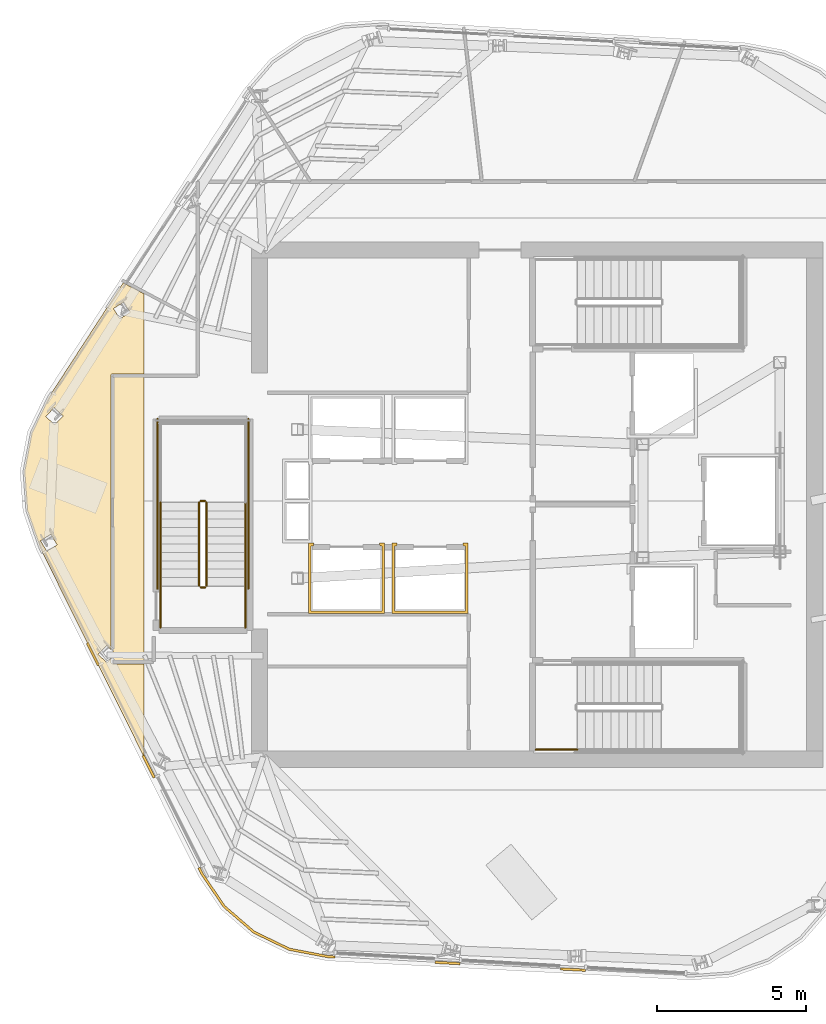
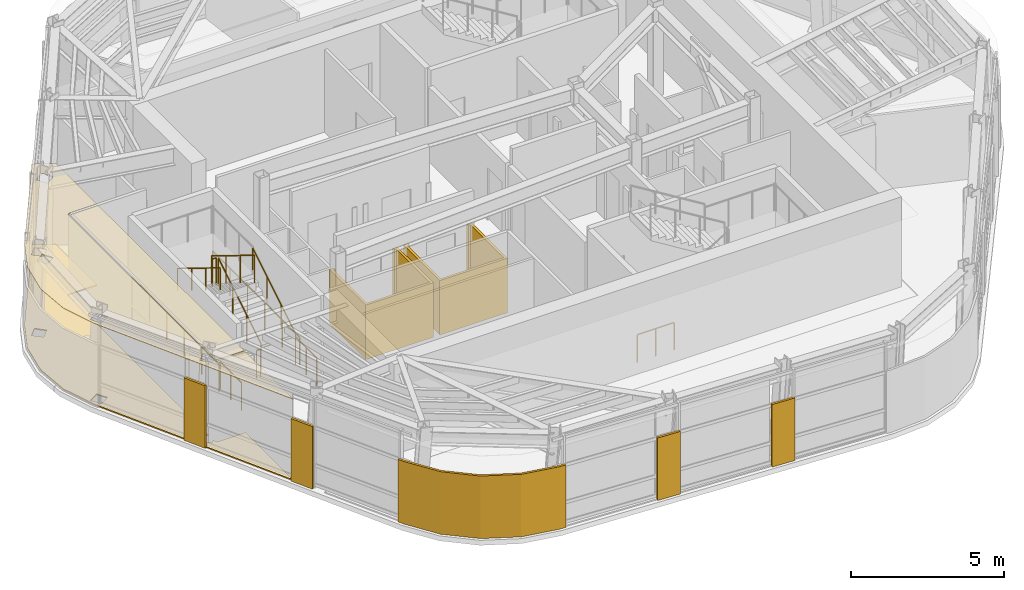
# One storey, part 9 of 13: 11 railings, 10 coverings.
"""IFC4 building model written with IfcOpenShell, lengths in metres."""

from ifc_helpers import new_model, si_unit, direction, frame, origin, origin_2d, place, context, subcontext, project, spatial, polyline, circle, outline, extrude, material, layer, layer_set, type_object, element, save


model = new_model("IFC4")

# Units and contexts
model_context = context("Model", 3, precision=1e-05, world=origin(), true_north=direction((0.0, 1.0)))
body_context = subcontext(model_context, "Body", "Model", "MODEL_VIEW")
ifc_project = project(units=[si_unit("LENGTHUNIT", "METRE"), si_unit("AREAUNIT", "SQUARE_METRE"), si_unit("VOLUMEUNIT", "CUBIC_METRE"), si_unit("PLANEANGLEUNIT", "RADIAN"), si_unit("MASSUNIT", "GRAM", prefix="KILO")], contexts=[model_context])

# Site, building, storey
site_placement = place(None, origin())
site = spatial("IfcSite", under=ifc_project, at=site_placement, CompositionType="ELEMENT")
building_placement = place(site_placement, origin())
building = spatial("IfcBuilding", under=site, at=building_placement, Name="Valkerne Bourse Tower", CompositionType="ELEMENT")
storey_placement = place(building_placement, frame((0.0, 0.0, 269.800048828125)))
storey = spatial("IfcBuildingStorey", under=building, at=storey_placement, Name="L68", CompositionType="ELEMENT", Elevation=269.800048828125)

# Coverings
ifc_material_1 = material(Name="Mineral Fiber Acoustic Ceiling Tile", Category="acoustic")
ifc_layer_1 = layer(ifc_material_1, 0.02490234375)
ifc_layer_set_1 = layer_set([ifc_layer_1], Name="Mineral Fiber Acoustic Ceiling Tile")
covering_type_1 = type_object("IfcCoveringType", Name="COV-CEIL-ACT", PredefinedType="CEILING", material=ifc_layer_set_1)
covering_1_placement = place(storey_placement, frame((0.0, 0.0, 3.25)))
element("IfcCovering", 1, at=covering_1_placement, inside=storey, type_object=covering_type_1, Name="L68 Suspended Ceiling 07", PredefinedType="CEILING", context=body_context, shape_type="SweptSolid", body=[
    extrude(outline(polyline([(30.112060546875, 25.42138671875), (29.6748046875, 26.677001953125), (29.578369140625, 27.992919921875), (29.82568359375, 29.289306640625), (30.404296875, 30.486083984375), (32.898681640625, 34.32470703125), (33.60009765625, 33.95166015625), (33.60009765625, 31.26904296875), (32.54931640625, 31.26904296875), (32.50830078125, 31.25537109375), (32.483154296875, 31.217529296875), (32.48095703125, 22.007568359375), (32.338134765625, 22.1455078125), (32.05517578125, 21.853515625), (32.055908203125, 21.8515625), (32.349853515625, 21.567626953125), (32.482421875, 21.704345703125), (32.48291015625, 21.58349609375), (32.50830078125, 21.544921875), (32.546630859375, 21.531005859375), (33.60009765625, 21.531005859375), (33.60009765625, 18.400146484375), (30.112060546875, 25.42138671875)]), holes=[polyline([(30.680908203125, 25.525634765625), (30.468505859375, 25.87451171875), (30.12060546875, 25.663818359375), (30.120849609375, 25.66162109375), (30.333251953125, 25.3125), (30.680908203125, 25.523193359375), (30.680908203125, 25.525634765625)]), polyline([(30.876953125, 29.85400390625), (30.582275390625, 30.134033203125), (30.30029296875, 29.83837890625), (30.2998046875, 29.8359375), (30.594482421875, 29.555908203125), (30.87646484375, 29.8515625), (30.876953125, 29.85400390625)]), polyline([(33.134521484375, 33.331787109375), (32.92041015625, 33.677490234375), (32.572509765625, 33.462646484375), (32.571533203125, 33.460693359375), (32.78564453125, 33.114990234375), (33.133544921875, 33.329833984375), (33.134521484375, 33.331787109375)])]), origin(), (0.0, 0.0, 1.0), 0.02490234375),
])
ifc_material_2 = material(Name="Bronze Anodised Aluminium AA 6063-T6", Category="aluminium")
ifc_layer_2 = layer(ifc_material_2, 0.030029296875)
ifc_layer_set_2 = layer_set([ifc_layer_2], Name="Bronze Anodised Aluminium AA 6063-T6")
covering_type_2 = type_object("IfcCoveringType", Name="COV-CEIL-METAL", PredefinedType="CEILING", material=ifc_layer_set_2)
covering_2_placement = place(storey_placement, frame((0.0, 0.0, 3.25)))
element("IfcCovering", 2, at=covering_2_placement, inside=storey, type_object=covering_type_2, Name="L68 Suspended Ceiling 02", PredefinedType="CEILING", context=body_context, shape_type="SweptSolid", body=[
    extrude(outline(polyline([(32.553955078125, 21.60400390625), (32.553955078125, 21.7783203125), (32.6328125, 21.859619140625), (32.632080078125, 21.86181640625), (32.553955078125, 21.937255859375), (32.553955078125, 31.196044921875), (33.60009765625, 31.196044921875), (33.60009765625, 21.60400390625), (32.553955078125, 21.60400390625)])), origin(), (0.0, 0.0, 1.0), 0.02490234375),
])
ifc_layer_3 = layer(ifc_material_2, 0.06005859375)
ifc_layer_set_3 = layer_set([ifc_layer_3], Name="Bronze Anodised Aluminium AA 6063-T6")
covering_type_3 = type_object("IfcCoveringType", Name="COV-CRN-ALUM", PredefinedType="CLADDING", material=ifc_layer_set_3)
covering_3_placement = place(storey_placement, origin())
element("IfcCovering", 3, at=covering_3_placement, inside=storey, type_object=covering_type_3, Name="L68 Wind-Shaped Corner Aluminium Cladding 05", PredefinedType="CLADDING", context=body_context, shape_type="SweptSolid", body=[
    extrude(outline(polyline([(47.580322265625, 11.24560546875), (47.5849609375, 11.3251953125), (48.423828125, 11.281005859375), (48.419189453125, 11.201416015625), (47.580322265625, 11.24560546875)])), origin(), (0.0, 0.0, 1.0), 2.5),
])
covering_4_placement = place(storey_placement, origin())
element("IfcCovering", 4, at=covering_4_placement, inside=storey, type_object=covering_type_3, Name="L68 Wind-Shaped Corner Aluminium Cladding 06", PredefinedType="CLADDING", context=body_context, shape_type="SweptSolid", body=[
    extrude(outline(polyline([(43.374267578125, 11.467041015625), (43.37890625, 11.546875), (44.217529296875, 11.502685546875), (44.212890625, 11.4228515625), (43.374267578125, 11.467041015625)])), origin(), (0.0, 0.0, 1.0), 2.5),
])
covering_5_placement = place(storey_placement, origin())
element("IfcCovering", 5, at=covering_5_placement, inside=storey, type_object=covering_type_3, Name="L68 Wind-Shaped Corner Aluminium Cladding 07", PredefinedType="CLADDING", context=body_context, shape_type="SweptSolid", body=[
    extrude(outline(polyline([(39.77880859375, 11.656494140625), (38.46484375, 11.906982421875), (37.266357421875, 12.486572265625), (36.2587890625, 13.356201171875), (35.5068359375, 14.46240234375), (35.4052734375, 14.6669921875), (35.476806640625, 14.702880859375), (35.576171875, 14.5029296875), (36.319091796875, 13.409912109375), (37.310791015625, 12.553955078125), (38.490234375, 11.983642578125), (39.788330078125, 11.736083984375), (40.011474609375, 11.724365234375), (40.0068359375, 11.64453125), (39.77880859375, 11.656494140625)])), origin(), (0.0, 0.0, 1.0), 2.5),
])
covering_6_placement = place(storey_placement, origin())
element("IfcCovering", 6, at=covering_6_placement, inside=storey, type_object=covering_type_3, Name="L68 Wind-Shaped Corner Aluminium Cladding 08", PredefinedType="CLADDING", context=body_context, shape_type="SweptSolid", body=[
    extrude(outline(polyline([(33.531494140625, 18.439453125), (33.602783203125, 18.475341796875), (33.9765625, 17.722900390625), (33.905029296875, 17.68701171875), (33.531494140625, 18.439453125)])), origin(), (0.0, 0.0, 1.0), 2.5),
])
covering_7_placement = place(storey_placement, origin())
element("IfcCovering", 7, at=covering_7_placement, inside=storey, type_object=covering_type_3, Name="L68 Wind-Shaped Corner Aluminium Cladding 09", PredefinedType="CLADDING", context=body_context, shape_type="SweptSolid", body=[
    extrude(outline(polyline([(31.657470703125, 22.211669921875), (31.72900390625, 22.24755859375), (32.102783203125, 21.495361328125), (32.03125, 21.459228515625), (31.657470703125, 22.211669921875)])), origin(), (0.0, 0.0, 1.0), 2.5),
])
ifc_material_3 = material(Name="Galvanised Painted Steel", Category="steel")
ifc_layer_4 = layer(ifc_material_3, 0.044921875)
ifc_layer_set_4 = layer_set([ifc_layer_4], Name="Galvanised Painted Steel")
covering_type_4 = type_object("IfcCoveringType", Name="COV-FLR-RAF", PredefinedType="FLOORING", material=ifc_layer_set_4)
covering_8_placement = place(storey_placement, origin())
element("IfcCovering", 8, at=covering_8_placement, inside=storey, type_object=covering_type_4, Name="L68 Floor Finish 07", PredefinedType="FLOORING", context=body_context, shape_type="SweptSolid", body=[
    extrude(outline(polyline([(30.112060546875, 25.42138671875), (29.6748046875, 26.677001953125), (29.578369140625, 27.992919921875), (29.82568359375, 29.289306640625), (30.404296875, 30.486083984375), (32.898681640625, 34.32470703125), (33.60009765625, 33.95166015625), (33.60009765625, 31.26904296875), (32.54931640625, 31.26904296875), (32.50830078125, 31.25537109375), (32.483154296875, 31.217529296875), (32.48095703125, 22.007568359375), (32.338134765625, 22.1455078125), (32.05517578125, 21.853515625), (32.055908203125, 21.8515625), (32.349853515625, 21.567626953125), (32.482421875, 21.704345703125), (32.48291015625, 21.58349609375), (32.50830078125, 21.544921875), (32.546630859375, 21.531005859375), (33.60009765625, 21.531005859375), (33.60009765625, 18.400146484375), (30.112060546875, 25.42138671875)]), holes=[polyline([(30.680908203125, 25.525634765625), (30.468505859375, 25.87451171875), (30.12060546875, 25.663818359375), (30.120849609375, 25.66162109375), (30.333251953125, 25.3125), (30.680908203125, 25.523193359375), (30.680908203125, 25.525634765625)]), polyline([(30.876953125, 29.85400390625), (30.582275390625, 30.134033203125), (30.30029296875, 29.83837890625), (30.2998046875, 29.8359375), (30.594482421875, 29.555908203125), (30.87646484375, 29.8515625), (30.876953125, 29.85400390625)]), polyline([(33.134521484375, 33.331787109375), (32.92041015625, 33.677490234375), (32.572509765625, 33.462646484375), (32.571533203125, 33.460693359375), (32.78564453125, 33.114990234375), (33.133544921875, 33.329833984375), (33.134521484375, 33.331787109375)])]), origin(), (0.0, 0.0, 1.0), 0.044921875),
])
ifc_material_4 = material(Name="Gypsum Shaftwall Liner Board", Category="gypsum")
ifc_layer_5 = layer(ifc_material_4, 0.080078125)
ifc_layer_set_5 = layer_set([ifc_layer_5], Name="Gypsum Shaftwall Liner Board")
covering_type_5 = type_object("IfcCoveringType", Name="COV-SHF-CLAD", PredefinedType="CLADDING", material=ifc_layer_set_5)
covering_9_placement = place(storey_placement, origin())
element("IfcCovering", 9, at=covering_9_placement, inside=storey, type_object=covering_type_5, Name="L68 Hoistway & Riser Shaftwall Liner 02", PredefinedType="CLADDING", context=body_context, shape_type="SweptSolid", body=[
    extrude(outline(polyline([(39.29931640625, 25.580078125), (39.28857421875, 25.537841796875), (39.2822265625, 25.494140625), (39.281982421875, 25.489990234375), (39.2099609375, 25.489990234375), (39.2099609375, 23.31005859375), (41.590087890625, 23.31005859375), (41.590087890625, 25.489990234375), (41.51806640625, 25.489990234375), (41.517822265625, 25.494140625), (41.511474609375, 25.537841796875), (41.500732421875, 25.580078125), (41.679931640625, 25.580078125), (41.679931640625, 23.219970703125), (39.1201171875, 23.219970703125), (39.1201171875, 25.580078125), (39.29931640625, 25.580078125)])), origin(), (0.0, 0.0, 1.0), 2.179931640625),
])
covering_10_placement = place(storey_placement, origin())
element("IfcCovering", 10, at=covering_10_placement, inside=storey, type_object=covering_type_5, Name="L68 Hoistway & Riser Shaftwall Liner 03", PredefinedType="CLADDING", context=body_context, shape_type="SweptSolid", body=[
    extrude(outline(polyline([(42.09912109375, 25.580078125), (42.088623046875, 25.537841796875), (42.082275390625, 25.494140625), (42.08203125, 25.489990234375), (42.010009765625, 25.489990234375), (42.010009765625, 23.31005859375), (44.389892578125, 23.31005859375), (44.389892578125, 25.489990234375), (44.318115234375, 25.489990234375), (44.31787109375, 25.494140625), (44.311279296875, 25.537841796875), (44.30078125, 25.580078125), (44.47998046875, 25.580078125), (44.47998046875, 23.219970703125), (41.919921875, 23.219970703125), (41.919921875, 25.580078125), (42.09912109375, 25.580078125)])), origin(), (0.0, 0.0, 1.0), 2.179931640625),
])

# Railings
railing_type_1 = type_object("IfcRailingType", Name="RLG-ST-GUARD-1120", PredefinedType="GUARDRAIL", material=ifc_material_3)
railing_1_placement = place(storey_placement, frame((46.75, 18.64990234375, 0.0)))
element("IfcRailing", 11, at=railing_1_placement, inside=storey, type_object=railing_type_1, Name="L68 ST-1 stair guard 8", PredefinedType="GUARDRAIL", context=body_context, shape_type="SweptSolid", body=[
    extrude(circle(Radius=0.02392578125, at=origin_2d()), frame((0.0, 0.0, 1.09619140625), z_axis=(1.0, 0.0, 0.0), x_axis=(0.0, 1.0, 0.0)), (0.0, 0.0, 1.0), 1.39990234375),
    extrude(circle(Radius=0.02099609375, at=origin_2d()), origin(), (0.0, 0.0, 1.0), 1.072021484375),
    extrude(circle(Radius=0.02099609375, at=origin_2d()), frame((0.699951171875, 0.0, 0.0)), (0.0, 0.0, 1.0), 1.072021484375),
    extrude(circle(Radius=0.02099609375, at=origin_2d()), frame((1.39990234375, 0.0, 0.0)), (0.0, 0.0, 1.0), 1.072021484375),
])
railing_2_placement = place(storey_placement, frame((35.699951171875, 24.14990234375, 0.172607421875)))
element("IfcRailing", 12, at=railing_2_placement, inside=storey, type_object=railing_type_1, Name="L68 ST-3 stair guard 1", PredefinedType="GUARDRAIL", context=body_context, shape_type="SweptSolid", body=[
    extrude(circle(Radius=0.02392578125, at=origin_2d()), frame((0.0, 0.0, 1.09619140625), z_axis=(0.0, 0.851089632645, 0.525020415988), x_axis=(-1.0, 0.0, 0.0)), (0.0, 0.0, 1.0), 3.2900390625),
    extrude(circle(Radius=0.02099609375, at=origin_2d()), origin(), (0.0, 0.0, 1.0), 1.072021484375),
    extrude(circle(Radius=0.02099609375, at=origin_2d()), frame((0.0, 0.933349609375, 0.57568359375)), (0.0, 0.0, 1.0), 1.072021484375),
    extrude(circle(Radius=0.02099609375, at=origin_2d()), frame((0.0, 1.86669921875, 1.151611328125)), (0.0, 0.0, 1.0), 1.072021484375),
    extrude(circle(Radius=0.02099609375, at=origin_2d()), frame((0.0, 2.800048828125, 1.727294921875)), (0.0, 0.0, 1.0), 1.072021484375),
])
railing_3_placement = place(storey_placement, frame((35.64990234375, 27.0, 1.89990234375)))
element("IfcRailing", 13, at=railing_3_placement, inside=storey, type_object=railing_type_1, Name="L68 ST-3 stair guard 2", PredefinedType="GUARDRAIL", context=body_context, shape_type="SweptSolid", body=[
    extrude(circle(Radius=0.02392578125, at=origin_2d()), frame((0.0, 0.0, 1.09619140625), z_axis=(-1.0, 0.0, 0.0), x_axis=(0.0, -1.0, 0.0)), (0.0, 0.0, 1.0), 0.14990234375),
    extrude(circle(Radius=0.02099609375, at=origin_2d()), origin(), (0.0, 0.0, 1.0), 1.072021484375),
    extrude(circle(Radius=0.02099609375, at=origin_2d()), frame((-0.14990234375, 0.0, 0.0)), (0.0, 0.0, 1.0), 1.072021484375),
])
railing_4_placement = place(storey_placement, frame((35.449951171875, 26.949951171875, 2.07275390625)))
element("IfcRailing", 14, at=railing_4_placement, inside=storey, type_object=railing_type_1, Name="L68 ST-3 stair guard 6", PredefinedType="GUARDRAIL", context=body_context, shape_type="SweptSolid", body=[
    extrude(circle(Radius=0.02392578125, at=origin_2d()), frame((0.0, 0.0, 1.09619140625), z_axis=(0.0, -0.851089632645, 0.525020415988), x_axis=(1.0, 0.0, 0.0)), (0.0, 0.0, 1.0), 3.2900390625),
    extrude(circle(Radius=0.02099609375, at=origin_2d()), origin(), (0.0, 0.0, 1.0), 1.072021484375),
    extrude(circle(Radius=0.02099609375, at=origin_2d()), frame((0.0, -0.933349609375, 0.57568359375)), (0.0, 0.0, 1.0), 1.072021484375),
    extrude(circle(Radius=0.02099609375, at=origin_2d()), frame((0.0, -1.86669921875, 1.151611328125)), (0.0, 0.0, 1.0), 1.072021484375),
    extrude(circle(Radius=0.02099609375, at=origin_2d()), frame((0.0, -2.800048828125, 1.727294921875)), (0.0, 0.0, 1.0), 1.072021484375),
])
railing_5_placement = place(storey_placement, frame((35.64990234375, 24.10009765625, 0.0)))
element("IfcRailing", 15, at=railing_5_placement, inside=storey, type_object=railing_type_1, Name="L68 ST-3 stair guard 7", PredefinedType="GUARDRAIL", context=body_context, shape_type="SweptSolid", body=[
    extrude(circle(Radius=0.02392578125, at=origin_2d()), frame((0.0, 0.0, 1.09619140625), z_axis=(-1.0, 0.0, 0.0), x_axis=(0.0, -1.0, 0.0)), (0.0, 0.0, 1.0), 0.14990234375),
    extrude(circle(Radius=0.02099609375, at=origin_2d()), origin(), (0.0, 0.0, 1.0), 1.072021484375),
    extrude(circle(Radius=0.02099609375, at=origin_2d()), frame((-0.14990234375, 0.0, 0.0)), (0.0, 0.0, 1.0), 1.072021484375),
])
for number, where, name in (
    (16, (37.0, 22.75, 0.0), "L68 ST-3 stair guard 8"),
    (17, (34.14990234375, 22.75, 0.0), "L68 ST-3 stair guard 9"),
):
    element("IfcRailing", number, at=place(storey_placement, frame(where)), inside=storey, type_object=railing_type_1, Name=name, PredefinedType="GUARDRAIL", context=body_context, shape_type="SweptSolid", body=[
        extrude(circle(Radius=0.02392578125, at=origin_2d()), frame((0.0, 0.0, 1.09619140625), z_axis=(0.0, 1.0, 0.0), x_axis=(-1.0, 0.0, 0.0)), (0.0, 0.0, 1.0), 1.39990234375),
        extrude(circle(Radius=0.02099609375, at=origin_2d()), origin(), (0.0, 0.0, 1.0), 1.072021484375),
        extrude(circle(Radius=0.02099609375, at=origin_2d()), frame((0.0, 0.699951171875, 0.0)), (0.0, 0.0, 1.0), 1.072021484375),
        extrude(circle(Radius=0.02099609375, at=origin_2d()), frame((0.0, 1.39990234375, 0.0)), (0.0, 0.0, 1.0), 1.072021484375),
    ])
for number, where, name in (
    (18, (37.10009765625, 24.050048828125, 0.0), "L68 ST-3 stair guard 10"),
    (19, (34.050048828125, 24.050048828125, 0.0), "L68 ST-3 stair guard 11"),
):
    element("IfcRailing", number, at=place(storey_placement, frame(where)), inside=storey, type_object=railing_type_1, Name=name, PredefinedType="GUARDRAIL", context=body_context, shape_type="SweptSolid", body=[
        extrude(circle(Radius=0.02392578125, at=origin_2d()), frame((0.0, 0.0, 1.09619140625), z_axis=(0.0, 1.0, 0.0), x_axis=(-1.0, 0.0, 0.0)), (0.0, 0.0, 1.0), 5.699951171875),
        extrude(circle(Radius=0.02099609375, at=origin_2d()), origin(), (0.0, 0.0, 1.0), 1.072021484375),
        extrude(circle(Radius=0.02099609375, at=origin_2d()), frame((0.0, 1.139892578125, 0.0)), (0.0, 0.0, 1.0), 1.072021484375),
        extrude(circle(Radius=0.02099609375, at=origin_2d()), frame((0.0, 2.280029296875, 0.0)), (0.0, 0.0, 1.0), 1.072021484375),
        extrude(circle(Radius=0.02099609375, at=origin_2d()), frame((0.0, 3.419921875, 0.0)), (0.0, 0.0, 1.0), 1.072021484375),
        extrude(circle(Radius=0.02099609375, at=origin_2d()), frame((0.0, 4.56005859375, 0.0)), (0.0, 0.0, 1.0), 1.072021484375),
        extrude(circle(Radius=0.02099609375, at=origin_2d()), frame((0.0, 5.699951171875, 0.0)), (0.0, 0.0, 1.0), 1.072021484375),
    ])
ifc_material_5 = material(Name="Stainless Steel AISI 316", Category="steel")
railing_type_2 = type_object("IfcRailingType", Name="RLG-ST-HANDRAIL-900", PredefinedType="HANDRAIL", material=ifc_material_5)
railing_6_placement = place(storey_placement, frame((37.0, 24.14990234375, 0.345458984375)))
element("IfcRailing", 20, at=railing_6_placement, inside=storey, type_object=railing_type_2, Name="L68 ST-3 stair handrail 1", PredefinedType="HANDRAIL", context=body_context, shape_type="SweptSolid", body=[
    extrude(circle(Radius=0.02392578125, at=origin_2d()), frame((0.0, 0.0, 0.8759765625), z_axis=(0.0, 0.851089632645, 0.525020415988), x_axis=(-1.0, 0.0, 0.0)), (0.0, 0.0, 1.0), 3.2900390625),
    extrude(circle(Radius=0.02099609375, at=origin_2d()), origin(), (0.0, 0.0, 1.0), 0.851806640625),
    extrude(circle(Radius=0.02099609375, at=origin_2d()), frame((0.0, 0.933349609375, 0.57568359375)), (0.0, 0.0, 1.0), 0.851806640625),
    extrude(circle(Radius=0.02099609375, at=origin_2d()), frame((0.0, 1.86669921875, 1.151611328125)), (0.0, 0.0, 1.0), 0.851806640625),
    extrude(circle(Radius=0.02099609375, at=origin_2d()), frame((0.0, 2.800048828125, 1.727294921875)), (0.0, 0.0, 1.0), 0.851806640625),
])
railing_7_placement = place(storey_placement, frame((34.14990234375, 26.949951171875, 2.245361328125)))
element("IfcRailing", 21, at=railing_7_placement, inside=storey, type_object=railing_type_2, Name="L68 ST-3 stair handrail 2", PredefinedType="HANDRAIL", context=body_context, shape_type="SweptSolid", body=[
    extrude(circle(Radius=0.02392578125, at=origin_2d()), frame((0.0, 0.0, 0.8759765625), z_axis=(0.0, -0.851089632645, 0.525020415988), x_axis=(1.0, 0.0, 0.0)), (0.0, 0.0, 1.0), 3.2900390625),
    extrude(circle(Radius=0.02099609375, at=origin_2d()), origin(), (0.0, 0.0, 1.0), 0.851806640625),
    extrude(circle(Radius=0.02099609375, at=origin_2d()), frame((0.0, -0.933349609375, 0.57568359375)), (0.0, 0.0, 1.0), 0.851806640625),
    extrude(circle(Radius=0.02099609375, at=origin_2d()), frame((0.0, -1.86669921875, 1.151611328125)), (0.0, 0.0, 1.0), 0.851806640625),
    extrude(circle(Radius=0.02099609375, at=origin_2d()), frame((0.0, -2.800048828125, 1.727294921875)), (0.0, 0.0, 1.0), 0.851806640625),
])

save(model, "model.ifc")
